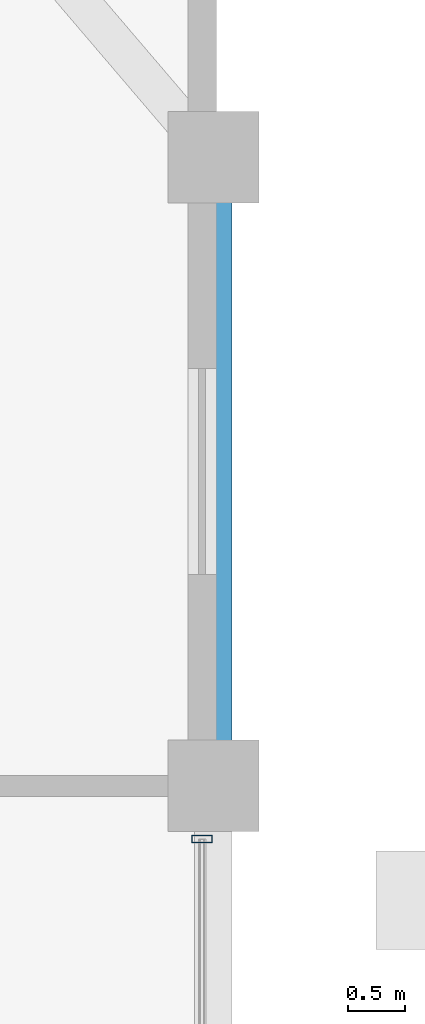
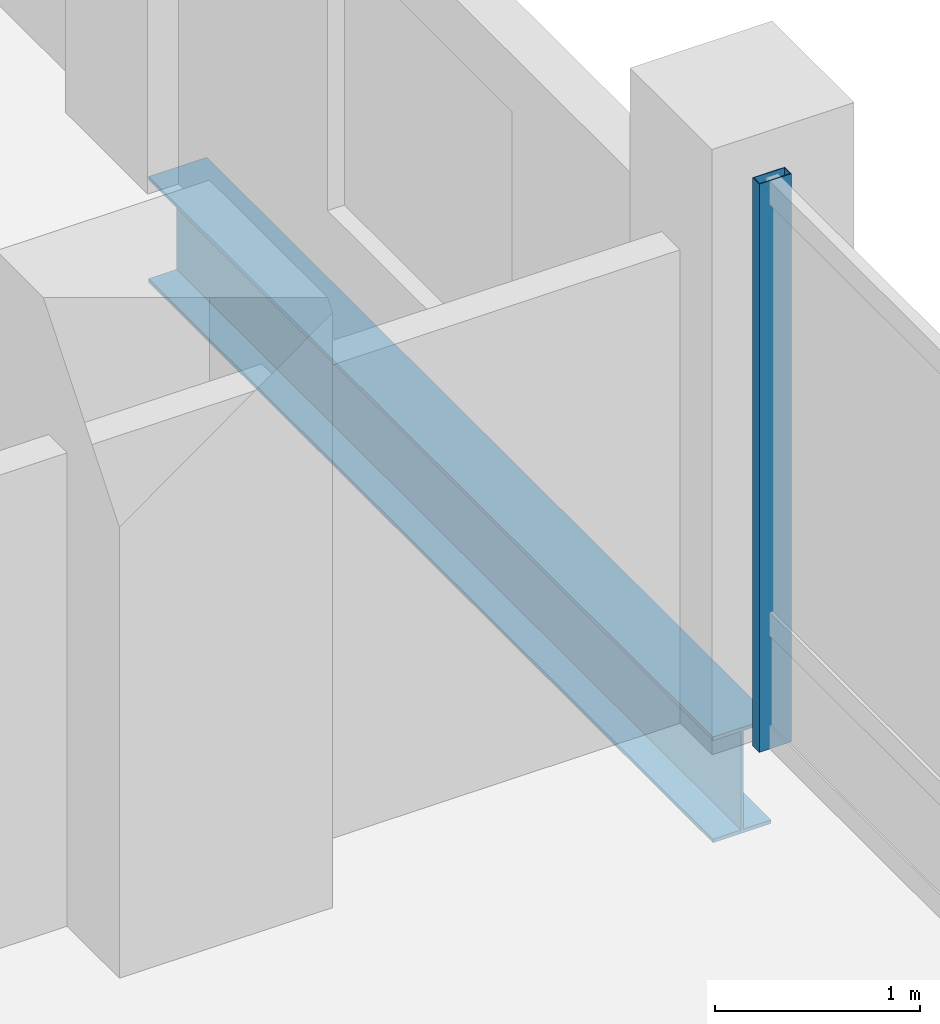
# One storey, part 12 of 19: 1 beam, 1 member, 1 element without a shape of its own.
"""IFC4 building model written with IfcOpenShell, lengths in metres."""

import ifcopenshell
import ifcopenshell.guid

model = None  # the IFC model being written
_history = None  # IfcOwnerHistory: only IFC2X3 demands one
_inside = {}  # id of a spatial element -> (the spatial element, [elements in it])
_under = {}  # id of a project, library or spatial element -> (it, [spatial elements below it])
_declared = {}  # id of a project -> (the project, [libraries it declares])
_typed = {}  # id of a type object -> (the type object, [elements of that type])
_made_of = {}  # id of a material, layer set ... -> (it, [elements and type objects made of it])


def new_model(schema):
    """Start an empty IFC model of exactly this schema.

    Asked for "IFC4X3", IfcOpenShell would pick the latest addendum, in which some entities
    have other attributes; the version numbers below select the first issue.
    IFC2X3 requires an IfcOwnerHistory on every rooted entity: one is made here for all.
    """
    global model, _history
    if schema == "IFC4X3":
        model = ifcopenshell.file(schema_version=(4, 3, 0, 0))
    else:
        model = ifcopenshell.file(schema=schema)
    _inside.clear()
    _under.clear()
    _declared.clear()
    _typed.clear()
    _made_of.clear()
    _history = None
    if model.schema == "IFC2X3":
        org = make("IfcOrganization", Name="unknown")
        user = make(
            "IfcPersonAndOrganization",
            ThePerson=make("IfcPerson", FamilyName="unknown"),
            TheOrganization=org,
        )
        app = make(
            "IfcApplication",
            ApplicationDeveloper=org,
            Version="unknown",
            ApplicationFullName="unknown",
            ApplicationIdentifier="unknown",
        )
        _history = make(
            "IfcOwnerHistory",
            OwningUser=user,
            OwningApplication=app,
            ChangeAction="ADDED",
            CreationDate=0,
        )
    return model


def make(cls, **values):
    """One entity of the class cls with the attributes given. An attribute that is None is left unset."""
    return model.create_entity(
        cls, **{name: value for name, value in values.items() if value is not None}
    )


def rooted(cls, **values):
    """An entity with a GlobalId (a new one), such as an element, a storey or a relation."""
    return make(cls, GlobalId=ifcopenshell.guid.new(), OwnerHistory=_history, **values)


def si_unit(unit_type, name, prefix=None):
    """IfcSIUnit, for example si_unit("LENGTHUNIT", "METRE", prefix="MILLI")."""
    return make("IfcSIUnit", UnitType=unit_type, Prefix=prefix, Name=name)


def assignment(units):
    """IfcUnitAssignment: the units of a project."""
    return None if units is None else make("IfcUnitAssignment", Units=units)


def point(xyz):
    """IfcCartesianPoint."""
    return None if xyz is None else make("IfcCartesianPoint", Coordinates=xyz)


def direction(xyz):
    """IfcDirection."""
    return None if xyz is None else make("IfcDirection", DirectionRatios=xyz)


def frame(location, z_axis=None, x_axis=None):
    """IfcAxis2Placement3D, a coordinate frame: its origin and axes. An axis left out is left unset."""
    return make(
        "IfcAxis2Placement3D",
        Location=point(location),
        Axis=direction(z_axis),
        RefDirection=direction(x_axis),
    )


def frame_2d(location, x_axis=None):
    """IfcAxis2Placement2D, a coordinate frame in the plane: its origin and x axis."""
    return make(
        "IfcAxis2Placement2D", Location=point(location), RefDirection=direction(x_axis)
    )


def origin():
    """The frame at (0, 0, 0) with its axes left unset."""
    return frame((0.0, 0.0, 0.0))


def origin_2d():
    """The frame at (0, 0) in the plane with its x axis left unset."""
    return frame_2d((0.0, 0.0))


def place(relative_to, where):
    """IfcLocalPlacement: puts the frame where relative to a parent placement (None: the world)."""
    return make(
        "IfcLocalPlacement", PlacementRelTo=relative_to, RelativePlacement=where
    )


def context(
    kind, dimensions, precision=None, world=None, true_north=None, identifier=None
):
    """IfcGeometricRepresentationContext, for example the 3D "Model" context."""
    return make(
        "IfcGeometricRepresentationContext",
        ContextIdentifier=identifier,
        ContextType=kind,
        CoordinateSpaceDimension=dimensions,
        Precision=precision,
        WorldCoordinateSystem=world,
        TrueNorth=true_north,
    )


def subcontext(parent, identifier, kind, view, scale=None):
    """IfcGeometricRepresentationSubContext, for example "Body" below "Model"."""
    return make(
        "IfcGeometricRepresentationSubContext",
        ContextIdentifier=identifier,
        ContextType=kind,
        ParentContext=parent,
        TargetScale=scale,
        TargetView=view,
    )


def project(units=None, contexts=None):
    """IfcProject with its units and contexts."""
    return rooted(
        "IfcProject",
        Name="project",
        RepresentationContexts=contexts,
        UnitsInContext=assignment(units),
    )


def spatial(cls, under=None, at=None, **own):
    """A site, building, storey or space (cls), placed at a placement, below another one or the project."""
    s = rooted(cls, ObjectPlacement=at, **own)
    if under is not None:
        _under.setdefault(under.id(), (under, []))[1].append(s)
    return s


def profile(cls, at=None, kind="AREA", **sizes):
    """A parametric profile (cls). Its sizes go by their IFC names, for example OverallWidth=200.0."""
    return make(cls, ProfileType=kind, Position=at, **sizes)


def hollow_rectangle(**sizes):
    """IfcRectangleHollowProfileDef."""
    return profile("IfcRectangleHollowProfileDef", **sizes)


def i_section(**sizes):
    """IfcIShapeProfileDef."""
    return profile("IfcIShapeProfileDef", **sizes)


def extrude(swept, where, along, depth):
    """IfcExtrudedAreaSolid: the profile swept, set in the frame where, extruded along a direction by depth."""
    return make(
        "IfcExtrudedAreaSolid",
        SweptArea=swept,
        Position=where,
        ExtrudedDirection=direction(along),
        Depth=depth,
    )


def shape(context_of_items, identifier, shape_type, items):
    """IfcShapeRepresentation: the items that make up one representation, for example the "Body"."""
    return make(
        "IfcShapeRepresentation",
        ContextOfItems=context_of_items,
        RepresentationIdentifier=identifier,
        RepresentationType=shape_type,
        Items=items,
    )


def material(Name=None, Category=None):
    """IfcMaterial."""
    return make("IfcMaterial", Name=Name, Category=Category)


def layer(
    of_material, thickness, ventilated=None, Name=None, Category=None, Priority=None
):
    """IfcMaterialLayer: one layer of a wall or slab, of a material (None: an air gap)."""
    return make(
        "IfcMaterialLayer",
        Material=of_material,
        LayerThickness=thickness,
        IsVentilated=ventilated,
        Name=Name,
        Category=Category,
        Priority=Priority,
    )


def layer_set(layers, Name=None):
    """IfcMaterialLayerSet."""
    return make("IfcMaterialLayerSet", MaterialLayers=layers, LayerSetName=Name)


def material_profile(
    of_material, cross_section, Name=None, Category=None, Priority=None
):
    """IfcMaterialProfile: a cross section and its material."""
    return make(
        "IfcMaterialProfile",
        Name=Name,
        Material=of_material,
        Profile=cross_section,
        Priority=Priority,
        Category=Category,
    )


def profile_set(profiles, Name=None, composite=None):
    """IfcMaterialProfileSet."""
    return make(
        "IfcMaterialProfileSet",
        Name=Name,
        MaterialProfiles=profiles,
        CompositeProfile=composite,
    )


def made_of(thing, what):
    """Note that an element or type object is made of a material, layer set ...; save() writes the relation."""
    if what is not None:
        _made_of.setdefault(what.id(), (what, []))[1].append(thing)
    return thing


def type_object(cls, material=None, **own):
    """A type object (cls), such as IfcWallType, which elements share."""
    return made_of(rooted(cls, **own), material)


def element(
    cls,
    number,
    at=None,
    inside=None,
    cuts=None,
    type_object=None,
    material=None,
    context=None,
    identifier="Body",
    shape_type=None,
    held_by="IfcProductDefinitionShape",
    body=None,
    shapes=None,
    **own,
):
    """One element of the class cls, such as IfcWall. Its Tag is "e" and its number.

    at: its placement. inside: the storey or other place that contains it. cuts: it is an
    opening in that element (IfcRelVoidsElement). A single representation is given by context,
    identifier, shape_type and body (its items); several are given by shapes. held_by: the class
    of the entity that holds the representations. save() writes the other relations.
    """
    e = rooted(cls, Tag="e%d" % number, ObjectPlacement=at, **own)
    if body is not None:
        shapes = [shape(context, identifier, shape_type, body)]
    if shapes is not None:
        e.Representation = make(held_by, Representations=shapes)
    if inside is not None:
        _inside.setdefault(inside.id(), (inside, []))[1].append(e)
    if cuts is not None:
        rooted(
            "IfcRelVoidsElement", RelatingBuildingElement=cuts, RelatedOpeningElement=e
        )
    if type_object is not None:
        _typed.setdefault(type_object.id(), (type_object, []))[1].append(e)
    return made_of(e, material)


def aggregate(whole, parts):
    """IfcRelAggregates: a whole, such as a stair, and the parts it consists of."""
    return rooted("IfcRelAggregates", RelatingObject=whole, RelatedObjects=parts)


def save(model, path):
    """Write the relations noted so far, then the file.

    IfcRelAggregates (storeys below a building ...), IfcRelContainedInSpatialStructure (elements
    in a storey), IfcRelDefinesByType, IfcRelAssociatesMaterial and IfcRelDeclares: one each for
    every whole, place, type object, material and project.
    """
    for whole, parts in _under.values():
        aggregate(whole, parts)
    for where, things in _inside.values():
        rooted(
            "IfcRelContainedInSpatialStructure",
            RelatedElements=things,
            RelatingStructure=where,
        )
    for kind, things in _typed.values():
        rooted("IfcRelDefinesByType", RelatedObjects=things, RelatingType=kind)
    for what, things in _made_of.values():
        rooted("IfcRelAssociatesMaterial", RelatedObjects=things, RelatingMaterial=what)
    for by, libraries in _declared.values():
        rooted("IfcRelDeclares", RelatingContext=by, RelatedDefinitions=libraries)
    model.write(path)


model = new_model("IFC4")

# Units and contexts
model_context = context("Model", 3, precision=1e-05, world=origin(), true_north=direction((0.0, 1.0)))
body_context = subcontext(model_context, "Body", "Model", "MODEL_VIEW")
ifc_project = project(units=[si_unit("LENGTHUNIT", "METRE"), si_unit("AREAUNIT", "SQUARE_METRE"), si_unit("VOLUMEUNIT", "CUBIC_METRE"), si_unit("PLANEANGLEUNIT", "RADIAN"), si_unit("MASSUNIT", "GRAM", prefix="KILO")], contexts=[model_context])

# Site, building, storey
site_placement = place(None, origin())
site = spatial("IfcSite", under=ifc_project, at=site_placement, CompositionType="ELEMENT")
building_placement = place(site_placement, origin())
building = spatial("IfcBuilding", under=site, at=building_placement, Name="Barlavira Tower and Art Museum", CompositionType="ELEMENT")
storey_placement = place(building_placement, frame((0.0, 0.0, 113.39990234375)))
storey = spatial("IfcBuildingStorey", under=building, at=storey_placement, Name="L28", CompositionType="ELEMENT", Elevation=113.39990234375)

# Curtain wall, member
ifc_material_1 = material(Name="Low-iron coastal laminated glass", Category="glass")
ifc_layer = layer(ifc_material_1, 0.18994140625, Name="Low-iron coastal laminated glass")
ifc_layer_set = layer_set([ifc_layer], Name="Low-iron coastal laminated glass")
curtain_wall_type = type_object("IfcCurtainWallType", Name="Pale-Metal Unitised Curtain Wall Zone 2", PredefinedType="NOTDEFINED", material=ifc_layer_set)
curtain_wall_placement = place(storey_placement, origin())
curtain_wall = element("IfcCurtainWall", 1, at=curtain_wall_placement, inside=storey, type_object=curtain_wall_type, Name="L28 Curtain Wall CW2-L28-E-B3", PredefinedType="NOTDEFINED")
ifc_material_2 = material(Name="Pale anodised aluminium", Category="aluminium")
ifc_material_profile_1 = material_profile(ifc_material_2, hollow_rectangle(XDim=0.06494140625, YDim=0.179931640625, WallThickness=0.00390625, at=origin_2d()), Name="ALU-MULL 65x180x4")
ifc_profile_set_1 = profile_set([ifc_material_profile_1], Name="Pale anodised aluminium")
member_type = type_object("IfcMemberType", Name="Curtain Wall Pale-Metal Mullion 65x180", PredefinedType="MULLION", material=ifc_profile_set_1)
member_placement = place(storey_placement, frame((20.14990234375, 7.034912109375, 0.0), z_axis=(0.0, 0.0, 1.0), x_axis=(0.0, 1.0, 0.0)))
member = element("IfcMember", 2, at=member_placement, type_object=member_type, Name="CW2-L28-E-B3 Mullion 3", PredefinedType="MULLION", context=body_context, shape_type="SweptSolid", body=[
    extrude(hollow_rectangle(XDim=0.06494140625, YDim=0.179931640625, WallThickness=0.00390625, at=origin_2d()), origin(), (0.0, 0.0, 1.0), 3.380126953125),
])
aggregate(curtain_wall, [member])

# Beam
ifc_material_3 = material(Name="Steel S355", Category="steel")
ifc_material_profile_2 = material_profile(ifc_material_3, i_section(OverallWidth=0.327880859375, OverallDepth=0.62890625, WebThickness=0.013916015625, FlangeThickness=0.021484375, at=origin_2d()), Name="W610x174.0")
ifc_profile_set_2 = profile_set([ifc_material_profile_2], Name="Steel S355")
beam_type = type_object("IfcBeamType", Name="Perimeter Spandrel Edge Beam W610x174 Steel S355", PredefinedType="SPANDREL", material=ifc_profile_set_2)
beam_placement = place(storey_placement, frame((20.25, 7.5, -0.534423828125), z_axis=(0.0, 1.0, 0.0), x_axis=(-1.0, 0.0, 0.0)))
element("IfcBeam", 3, at=beam_placement, inside=storey, type_object=beam_type, Name="L28 Spandrel 7", PredefinedType="SPANDREL", context=body_context, shape_type="SweptSolid", body=[
    extrude(i_section(OverallWidth=0.327880859375, OverallDepth=0.62890625, WebThickness=0.013916015625, FlangeThickness=0.021484375, at=origin_2d()), origin(), (0.0, 0.0, 1.0), 5.5),
])

save(model, "model.ifc")
